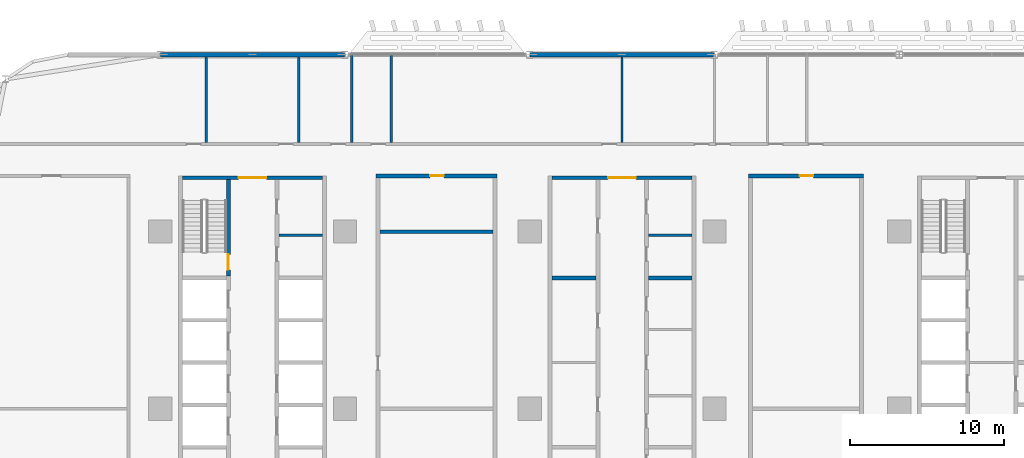
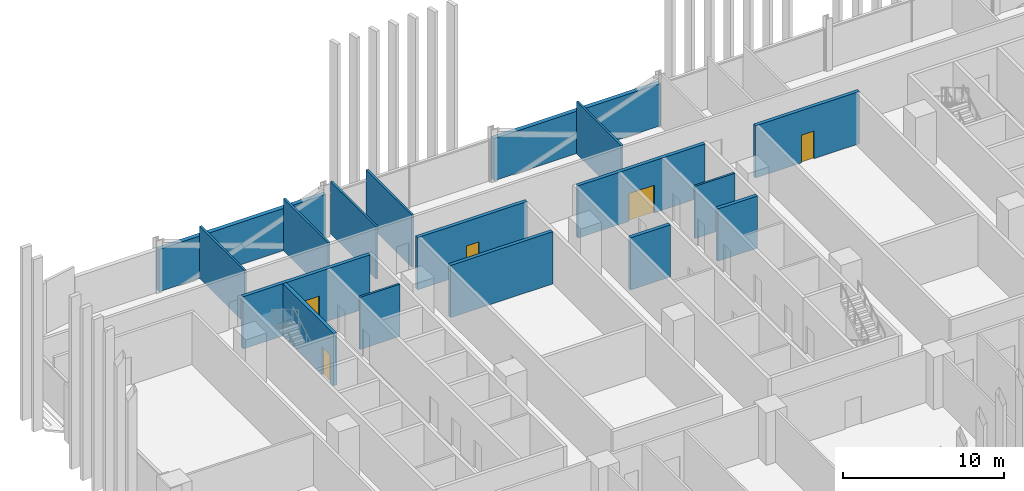
# One storey, part 14 of 29: 17 walls, 5 doors, 5 openings.
"""IFC4 building model written with IfcOpenShell, lengths in metres."""

from ifc_helpers import new_model, si_unit, direction, frame, frame_2d, origin, place, context, subcontext, project, spatial, rectangle, extrude, material, layer, layer_set, type_object, element, fill, save


model = new_model("IFC4")

# Units and contexts
model_context = context("Model", 3, precision=1e-05, world=origin(), true_north=direction((0.0, 1.0)))
body_context = subcontext(model_context, "Body", "Model", "MODEL_VIEW")
ifc_project = project(units=[si_unit("LENGTHUNIT", "METRE"), si_unit("AREAUNIT", "SQUARE_METRE"), si_unit("VOLUMEUNIT", "CUBIC_METRE"), si_unit("PLANEANGLEUNIT", "RADIAN"), si_unit("MASSUNIT", "GRAM", prefix="KILO")], contexts=[model_context])

# Site, building, storey
site_placement = place(None, origin())
site = spatial("IfcSite", under=ifc_project, at=site_placement, CompositionType="ELEMENT")
building_placement = place(site_placement, origin())
building = spatial("IfcBuilding", under=site, at=building_placement, Name="Mahtab Terrace Research Tower", CompositionType="ELEMENT")
storey_placement = place(building_placement, frame((0.0, 0.0, 63.199951171875)))
storey = spatial("IfcBuildingStorey", under=building, at=storey_placement, Name="L14", CompositionType="ELEMENT", Elevation=63.199951171875)

# Walls
ifc_material_1 = material(Name="Gypsum board partition")
ifc_layer_1 = layer(ifc_material_1, 0.14990234375)
ifc_layer_set_1 = layer_set([ifc_layer_1], Name="Core partition 150")
wall_type_1 = type_object("IfcWallType", Name="Core partition 150", PredefinedType="PARTITIONING", material=ifc_layer_set_1)
for number, where, z_axis, x_axis, name in (
    (1, (-22.300048828125, 11.27490234375, 0.0), (0.0, 0.0, 1.0), (1.0, 0.0, 0.0), "Core wall A pEN828"),
    (2, (1.699951171875, 11.27490234375, 0.0), (0.0, 0.0, 1.0), (1.0, 0.0, 0.0), "Core wall B pEN828"),
):
    element("IfcWall", number, at=place(storey_placement, frame(where, z_axis=z_axis, x_axis=x_axis)), inside=storey, type_object=wall_type_1, Name=name, PredefinedType="PARTITIONING", context=body_context, shape_type="SweptSolid", body=[
        extrude(rectangle(XDim=2.85009765625, YDim=0.14990234375, at=frame_2d((1.425048828125, 0.0))), origin(), (0.0, 0.0, 1.0), 3.9599609375),
    ])

# Wall, opening, door
ifc_material_2 = material(Name="Concrete C70/85", Category="concrete")
ifc_layer_2 = layer(ifc_material_2, 0.25)
ifc_layer_set_2 = layer_set([ifc_layer_2], Name="Core wall 250")
wall_type_2 = type_object("IfcWallType", Name="Core wall 250", PredefinedType="SOLIDWALL", material=ifc_layer_set_2)
wall_1_placement = place(storey_placement, frame((-28.550048828125, 15.0, 0.0), z_axis=(0.0, 0.0, 1.0), x_axis=(1.0, 0.0, 0.0)))
wall_1 = element("IfcWall", 3, at=wall_1_placement, inside=storey, type_object=wall_type_2, Name="Core wall A endN", PredefinedType="SOLIDWALL", context=body_context, shape_type="SweptSolid", body=[
    extrude(rectangle(XDim=9.10009765625, YDim=0.25, at=frame_2d((4.550048828125, 0.0))), origin(), (0.0, 0.0, 1.0), 3.9599609375),
])
opening_1_placement = place(wall_1_placement, frame((3.64990234375, 0.0, 0.0)))
opening_1 = element("IfcOpeningElement", 4, at=opening_1_placement, cuts=wall_1, Name="Opening A-N1", PredefinedType="OPENING", context=body_context, shape_type="SweptSolid", body=[
    extrude(rectangle(XDim=1.800048828125, YDim=2.10009765625, at=frame_2d((0.89990234375, 1.050048828125))), frame((0.0, 0.135009765625, 0.0), z_axis=(0.0, -1.0, 0.0), x_axis=(1.0, 0.0, 0.0)), (0.0, 0.0, 1.0), 0.27001953125),
])
ifc_material_3 = material(Name="Steel fire door", Category="steel")
door_type_1 = type_object("IfcDoorType", Name="Lobby double door 1800x2100 1 HR", OperationType="DOUBLE_DOOR_SINGLE_SWING", PredefinedType="DOOR", material=ifc_material_3)
door_1_placement = place(opening_1_placement, origin())
door_1 = element("IfcDoor", 5, at=door_1_placement, inside=storey, type_object=door_type_1, Name="Core entrance door A N", OperationType="DOUBLE_DOOR_SINGLE_SWING", OverallHeight=2.10009765625, OverallWidth=1.800048828125, PredefinedType="DOOR", context=body_context, shape_type="SweptSolid", body=[
    extrude(rectangle(XDim=1.800048828125, YDim=2.10009765625, at=frame_2d((0.89990234375, 1.050048828125))), frame((0.0, 0.02490234375, 0.0), z_axis=(0.0, -1.0, 0.0), x_axis=(1.0, 0.0, 0.0)), (0.0, 0.0, 1.0), 0.050048828125),
])
fill(opening_1, door_1)

wall_2_placement = place(storey_placement, frame((-25.574951171875, 14.875, 0.0), z_axis=(0.0, 0.0, 1.0), x_axis=(0.0, -1.0, 0.0)))
wall_2 = element("IfcWall", 6, at=wall_2_placement, inside=storey, type_object=wall_type_2, Name="Core wall A innerWN", PredefinedType="SOLIDWALL", context=body_context, shape_type="SweptSolid", body=[
    extrude(rectangle(XDim=6.25, YDim=0.25, at=frame_2d((3.125, 0.0))), origin(), (0.0, 0.0, 1.0), 3.9599609375),
])
opening_2_placement = place(wall_2_placement, frame((4.85009765625, 0.0, 0.0)))
opening_2 = element("IfcOpeningElement", 7, at=opening_2_placement, cuts=wall_2, Name="Opening A-ST1", PredefinedType="OPENING", context=body_context, shape_type="SweptSolid", body=[
    extrude(rectangle(XDim=1.0, YDim=2.10009765625, at=frame_2d((0.5, 1.050048828125))), frame((0.0, 0.135009765625, 0.0), z_axis=(0.0, -1.0, 0.0), x_axis=(1.0, 0.0, 0.0)), (0.0, 0.0, 1.0), 0.27001953125),
])
door_type_2 = type_object("IfcDoorType", Name="Stair door 1000x2100 1.5 HR", OperationType="NOTDEFINED", PredefinedType="DOOR", material=ifc_material_3)
door_2_placement = place(opening_2_placement, origin())
door_2 = element("IfcDoor", 8, at=door_2_placement, inside=storey, type_object=door_type_2, Name="Stair door ST1 L14", OperationType="SINGLE_SWING_LEFT", OverallHeight=2.10009765625, OverallWidth=1.0, PredefinedType="DOOR", context=body_context, shape_type="SweptSolid", body=[
    extrude(rectangle(XDim=1.0, YDim=2.10009765625, at=frame_2d((0.5, 1.050048828125))), frame((0.0, 0.02490234375, 0.0), z_axis=(0.0, -1.0, 0.0), x_axis=(1.0, 0.0, 0.0)), (0.0, 0.0, 1.0), 0.050048828125),
])
fill(opening_2, door_2)

wall_3_placement = place(storey_placement, frame((-4.550048828125, 15.0, 0.0), z_axis=(0.0, 0.0, 1.0), x_axis=(1.0, 0.0, 0.0)))
wall_3 = element("IfcWall", 9, at=wall_3_placement, inside=storey, type_object=wall_type_2, Name="Core wall B endN", PredefinedType="SOLIDWALL", context=body_context, shape_type="SweptSolid", body=[
    extrude(rectangle(XDim=9.10009765625, YDim=0.25, at=frame_2d((4.550048828125, 0.0))), origin(), (0.0, 0.0, 1.0), 3.9599609375),
])
opening_3_placement = place(wall_3_placement, frame((3.64990234375, 0.0, 0.0)))
opening_3 = element("IfcOpeningElement", 10, at=opening_3_placement, cuts=wall_3, Name="Opening B-N1", PredefinedType="OPENING", context=body_context, shape_type="SweptSolid", body=[
    extrude(rectangle(XDim=1.800048828125, YDim=2.10009765625, at=frame_2d((0.89990234375, 1.050048828125))), frame((0.0, 0.135009765625, 0.0), z_axis=(0.0, -1.0, 0.0), x_axis=(1.0, 0.0, 0.0)), (0.0, 0.0, 1.0), 0.27001953125),
])
door_3_placement = place(opening_3_placement, origin())
door_3 = element("IfcDoor", 11, at=door_3_placement, inside=storey, type_object=door_type_1, Name="Core entrance door B N", OperationType="DOUBLE_DOOR_SINGLE_SWING", OverallHeight=2.10009765625, OverallWidth=1.800048828125, PredefinedType="DOOR", context=body_context, shape_type="SweptSolid", body=[
    extrude(rectangle(XDim=1.800048828125, YDim=2.10009765625, at=frame_2d((0.89990234375, 1.050048828125))), frame((0.0, 0.02490234375, 0.0), z_axis=(0.0, -1.0, 0.0), x_axis=(1.0, 0.0, 0.0)), (0.0, 0.0, 1.0), 0.050048828125),
])
fill(opening_3, door_3)

# Walls
for number, where, z_axis, x_axis, name in (
    (12, (-4.550048828125, 8.5, 0.0), (0.0, 0.0, 1.0), (1.0, 0.0, 0.0), "Core wall B divW4"),
    (13, (1.699951171875, 8.5, 0.0), (0.0, 0.0, 1.0), (1.0, 0.0, 0.0), "Core wall B divE4"),
):
    element("IfcWall", number, at=place(storey_placement, frame(where, z_axis=z_axis, x_axis=x_axis)), inside=storey, type_object=wall_type_2, Name=name, PredefinedType="SOLIDWALL", context=body_context, shape_type="SweptSolid", body=[
        extrude(rectangle(XDim=2.85009765625, YDim=0.25, at=frame_2d((1.425048828125, 0.0))), origin(), (0.0, 0.0, 1.0), 3.9599609375),
    ])
ifc_material_4 = material(Name="Black aluminium cladding panel", Category="aluminium")
ifc_layer_3 = layer(ifc_material_4, 0.300048828125)
ifc_layer_set_3 = layer_set([ifc_layer_3], Name="Opaque facade wall 300")
wall_type_3 = type_object("IfcWallType", Name="Opaque facade wall 300", PredefinedType="NOTDEFINED", material=ifc_layer_set_3)
for number, where, z_axis, x_axis, name in (
    (14, (5.97607421875, 23.0, 0.0), (0.0, 0.0, 1.0), (-1.0, 0.0, 0.0), "Opaque facade wall L14 N7"),
    (15, (-18.02392578125, 23.0, 0.0), (0.0, 0.0, 1.0), (-1.0, 0.0, 0.0), "Opaque facade wall L14 N9"),
):
    element("IfcWall", number, at=place(storey_placement, frame(where, z_axis=z_axis, x_axis=x_axis)), inside=storey, type_object=wall_type_3, Name=name, PredefinedType="NOTDEFINED", context=body_context, shape_type="SweptSolid", body=[
        extrude(rectangle(XDim=11.9521484375, YDim=0.300048828125, at=frame_2d((5.97607421875, 0.0))), origin(), (0.0, 0.0, 1.0), 3.203125),
    ])
ifc_material_5 = material(Name="Masonry control area wall", Category="masonry")
ifc_layer_4 = layer(ifc_material_5, 0.25)
ifc_layer_set_4 = layer_set([ifc_layer_4], Name="WALL CONTROL AREA 250")
wall_type_4 = type_object("IfcWallType", Name="WALL CONTROL AREA 250", PredefinedType="PARTITIONING", material=ifc_layer_set_4)
wall_4_placement = place(storey_placement, frame((-15.72509765625, 11.5, 0.0), z_axis=(0.0, 0.0, 1.0), x_axis=(1.0, 0.0, 0.0)))
element("IfcWall", 16, at=wall_4_placement, inside=storey, type_object=wall_type_4, Name="L14-W018", PredefinedType="PARTITIONING", context=body_context, shape_type="SweptSolid", body=[
    extrude(rectangle(XDim=7.35009765625, YDim=0.25, at=frame_2d((3.675048828125, 0.0))), origin(), (0.0, 0.0, 1.0), 3.9599609375),
])

# Wall, opening, door
wall_5_placement = place(storey_placement, frame((-15.97509765625, 15.125, 0.0), z_axis=(0.0, 0.0, 1.0), x_axis=(1.0, 0.0, 0.0)))
wall_5 = element("IfcWall", 17, at=wall_5_placement, inside=storey, type_object=wall_type_4, Name="L14-W022", PredefinedType="PARTITIONING", context=body_context, shape_type="SweptSolid", body=[
    extrude(rectangle(XDim=7.85009765625, YDim=0.25, at=frame_2d((3.925048828125, 0.0))), origin(), (0.0, 0.0, 1.0), 3.9599609375),
])
opening_4_placement = place(wall_5_placement, frame((3.5, 0.0, 0.0)))
opening_4 = element("IfcOpeningElement", 18, at=opening_4_placement, cuts=wall_5, Name="Opening L14-126", PredefinedType="OPENING", context=body_context, shape_type="SweptSolid", body=[
    extrude(rectangle(XDim=0.89990234375, YDim=2.10009765625, at=frame_2d((0.449951171875, 1.050048828125))), frame((0.0, 0.135009765625, 0.0), z_axis=(0.0, -1.0, 0.0), x_axis=(1.0, 0.0, 0.0)), (0.0, 0.0, 1.0), 0.27001953125),
])
ifc_material_6 = material(Name="Timber door leaf in steel frame", Category="steel")
door_type_3 = type_object("IfcDoorType", Name="DOOR 0900X2100 FD120", OperationType="SINGLE_SWING_LEFT", PredefinedType="DOOR", material=ifc_material_6)
door_4_placement = place(opening_4_placement, origin())
door_4 = element("IfcDoor", 19, at=door_4_placement, inside=storey, type_object=door_type_3, Name="Door L14-126", OperationType="SINGLE_SWING_LEFT", OverallHeight=2.10009765625, OverallWidth=0.89990234375, PredefinedType="DOOR", context=body_context, shape_type="SweptSolid", body=[
    extrude(rectangle(XDim=0.89990234375, YDim=2.10009765625, at=frame_2d((0.449951171875, 1.050048828125))), frame((0.0, 0.02490234375, 0.0), z_axis=(0.0, -1.0, 0.0), x_axis=(1.0, 0.0, 0.0)), (0.0, 0.0, 1.0), 0.050048828125),
])
fill(opening_4, door_4)

wall_6_placement = place(storey_placement, frame((8.22509765625, 15.125, 0.0), z_axis=(0.0, 0.0, 1.0), x_axis=(1.0, 0.0, 0.0)))
wall_6 = element("IfcWall", 20, at=wall_6_placement, inside=storey, type_object=wall_type_4, Name="L14-W023", PredefinedType="PARTITIONING", context=body_context, shape_type="SweptSolid", body=[
    extrude(rectangle(XDim=7.449951171875, YDim=0.25, at=frame_2d((3.72509765625, 0.0))), origin(), (0.0, 0.0, 1.0), 3.9599609375),
])
opening_5_placement = place(wall_6_placement, frame((3.300048828125, 0.0, 0.0)))
opening_5 = element("IfcOpeningElement", 21, at=opening_5_placement, cuts=wall_6, Name="Opening L14-125", PredefinedType="OPENING", context=body_context, shape_type="SweptSolid", body=[
    extrude(rectangle(XDim=0.89990234375, YDim=2.10009765625, at=frame_2d((0.449951171875, 1.050048828125))), frame((0.0, 0.135009765625, 0.0), z_axis=(0.0, -1.0, 0.0), x_axis=(1.0, 0.0, 0.0)), (0.0, 0.0, 1.0), 0.27001953125),
])
door_5_placement = place(opening_5_placement, origin())
door_5 = element("IfcDoor", 22, at=door_5_placement, inside=storey, type_object=door_type_3, Name="Door L14-125", OperationType="SINGLE_SWING_LEFT", OverallHeight=2.10009765625, OverallWidth=0.89990234375, PredefinedType="DOOR", context=body_context, shape_type="SweptSolid", body=[
    extrude(rectangle(XDim=0.89990234375, YDim=2.10009765625, at=frame_2d((0.449951171875, 1.050048828125))), frame((0.0, 0.02490234375, 0.0), z_axis=(0.0, -1.0, 0.0), x_axis=(1.0, 0.0, 0.0)), (0.0, 0.0, 1.0), 0.050048828125),
])
fill(opening_5, door_5)

# Walls
ifc_material_7 = material(Name="Gypsum board partition on steel studs", Category="steel")
ifc_layer_5 = layer(ifc_material_7, 0.14990234375)
ifc_layer_set_5 = layer_set([ifc_layer_5], Name="WALL PARTITION 150")
wall_type_5 = type_object("IfcWallType", Name="WALL PARTITION 150", PredefinedType="PARTITIONING", material=ifc_layer_set_5)
for number, where, z_axis, x_axis, name in (
    (23, (-27.0, 17.300048828125, 0.0), (0.0, 0.0, 1.0), (0.0, 1.0, 0.0), "L14-W029"),
    (24, (-21.0, 17.300048828125, 0.0), (0.0, 0.0, 1.0), (0.0, 1.0, 0.0), "L14-W030"),
):
    element("IfcWall", number, at=place(storey_placement, frame(where, z_axis=z_axis, x_axis=x_axis)), inside=storey, type_object=wall_type_5, Name=name, PredefinedType="PARTITIONING", context=body_context, shape_type="SweptSolid", body=[
        extrude(rectangle(XDim=5.550048828125, YDim=0.14990234375, at=frame_2d((2.77490234375, 0.0))), origin(), (0.0, 0.0, 1.0), 3.9599609375),
    ])
for number, where, z_axis, x_axis, name in (
    (25, (-17.550048828125, 17.300048828125, 0.0), (0.0, 0.0, 1.0), (0.0, 1.0, 0.0), "L14-W032"),
    (26, (-15.0, 17.300048828125, 0.0), (0.0, 0.0, 1.0), (0.0, 1.0, 0.0), "L14-W035"),
):
    element("IfcWall", number, at=place(storey_placement, frame(where, z_axis=z_axis, x_axis=x_axis)), inside=storey, type_object=wall_type_5, Name=name, PredefinedType="PARTITIONING", context=body_context, shape_type="SweptSolid", body=[
        extrude(rectangle(XDim=5.675048828125, YDim=0.14990234375, at=frame_2d((2.83740234375, 0.0))), origin(), (0.0, 0.0, 1.0), 3.9599609375),
    ])
wall_7_placement = place(storey_placement, frame((0.0, 17.300048828125, 0.0), z_axis=(0.0, 0.0, 1.0), x_axis=(0.0, 1.0, 0.0)))
element("IfcWall", 27, at=wall_7_placement, inside=storey, type_object=wall_type_5, Name="L14-W039", PredefinedType="PARTITIONING", context=body_context, shape_type="SweptSolid", body=[
    extrude(rectangle(XDim=5.550048828125, YDim=0.14990234375, at=frame_2d((2.77490234375, 0.0))), origin(), (0.0, 0.0, 1.0), 3.9599609375),
])

save(model, "model.ifc")
